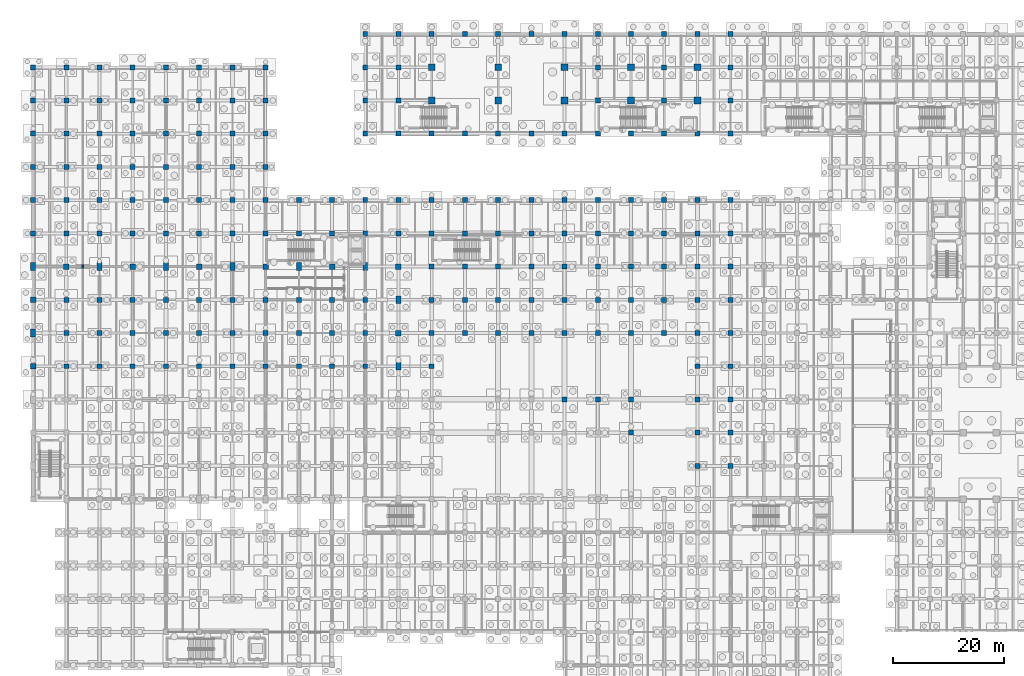
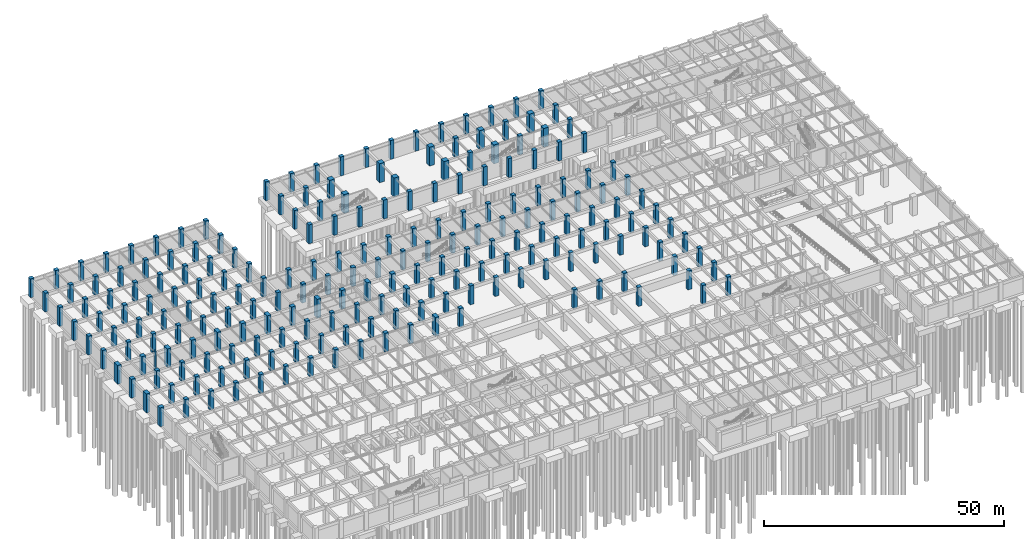
# One storey, part 24 of 54: 212 columns.
"""IFC4 building model written with IfcOpenShell, lengths in metres."""

from ifc_helpers import new_model, si_unit, direction, frame, origin, origin_2d, place, context, subcontext, project, spatial, rectangle, extrude, material, material_profile, profile_set, type_object, element, save


model = new_model("IFC4")

# Units and contexts
model_context = context("Model", 3, precision=1e-05, world=origin(), true_north=direction((0.0, 1.0)))
body_context = subcontext(model_context, "Body", "Model", "MODEL_VIEW")
ifc_project = project(units=[si_unit("LENGTHUNIT", "METRE"), si_unit("AREAUNIT", "SQUARE_METRE"), si_unit("VOLUMEUNIT", "CUBIC_METRE"), si_unit("PLANEANGLEUNIT", "RADIAN"), si_unit("MASSUNIT", "GRAM", prefix="KILO"), si_unit("THERMODYNAMICTEMPERATUREUNIT", "KELVIN"), si_unit("POWERUNIT", "WATT")], contexts=[model_context])

# Site, building, storey
site_placement = place(None, origin())
site = spatial("IfcSite", under=ifc_project, at=site_placement, CompositionType="ELEMENT")
building_placement = place(site_placement, origin())
building = spatial("IfcBuilding", under=site, at=building_placement, Name="Phaisarnlok Congress Hotel", CompositionType="ELEMENT")
storey_placement = place(building_placement, frame((0.0, 0.0, -4.800048828125)))
storey = spatial("IfcBuildingStorey", under=building, at=storey_placement, Name="B01", CompositionType="ELEMENT", Elevation=-4.800048828125)

# Columns
ifc_material_1 = material(Name="Concrete C50/60", Category="concrete")
ifc_material_profile_1 = material_profile(ifc_material_1, rectangle(XDim=1.0, YDim=1.0, at=origin_2d()), Name="RC 1000x1000")
ifc_profile_set_1 = profile_set([ifc_material_profile_1], Name="Concrete C50/60")
column_type_1 = type_object("IfcColumnType", Name="COL-RC-1000", PredefinedType="COLUMN", material=ifc_profile_set_1)
for number, where, z_axis, x_axis, name in (
    (1, (6.0, 84.0, 0.0), (0.0, 0.0, 1.0), (1.0, 0.0, 0.0), "Column C-09 (B01)"),
    (2, (18.0, 84.0, 0.0), (0.0, 0.0, 1.0), (1.0, 0.0, 0.0), "Column C-09 (B01)"),
    (3, (30.0, 84.0, 0.0), (0.0, 0.0, 1.0), (1.0, 0.0, 0.0), "Column C-09 (B01)"),
    (4, (42.0, 84.0, 0.0), (0.0, 0.0, 1.0), (1.0, 0.0, 0.0), "Column C-09 (B01)"),
    (5, (54.0, 84.0, 0.0), (0.0, 0.0, 1.0), (1.0, 0.0, 0.0), "Column C-09 (B01)"),
    (6, (66.0, 72.0, 0.0), (0.0, 0.0, 1.0), (1.0, 0.0, 0.0), "Column C-09 (B01)"),
    (7, (66.0, 84.0, 0.0), (0.0, 0.0, 1.0), (1.0, 0.0, 0.0), "Column C-09 (B01)"),
):
    element("IfcColumn", number, at=place(storey_placement, frame(where, z_axis=z_axis, x_axis=x_axis)), inside=storey, type_object=column_type_1, Name=name, PredefinedType="COLUMN", context=body_context, shape_type="SweptSolid", body=[
        extrude(rectangle(XDim=1.0, YDim=1.0, at=origin_2d()), origin(), (0.0, 0.0, 1.0), 4.800048828125),
    ])
ifc_material_profile_2 = material_profile(ifc_material_1, rectangle(XDim=1.0, YDim=1.0, at=origin_2d()), Name="RC 1000x1000")
ifc_profile_set_2 = profile_set([ifc_material_profile_2], Name="Concrete C50/60")
column_type_2 = type_object("IfcColumnType", Name="COL-RC-1000-EXT", PredefinedType="COLUMN", material=ifc_profile_set_2)
for number, where, z_axis, x_axis, name in (
    (8, (0.0, 66.0, 0.0), (0.0, 0.0, 1.0), (1.0, 0.0, 0.0), "Column C-09E (B01)"),
    (9, (0.0, 78.0, 0.0), (0.0, 0.0, 1.0), (1.0, 0.0, 0.0), "Column C-09E (B01)"),
):
    element("IfcColumn", number, at=place(storey_placement, frame(where, z_axis=z_axis, x_axis=x_axis)), inside=storey, type_object=column_type_2, Name=name, PredefinedType="COLUMN", context=body_context, shape_type="SweptSolid", body=[
        extrude(rectangle(XDim=1.0, YDim=1.0, at=origin_2d()), origin(), (0.0, 0.0, 1.0), 4.800048828125),
    ])
ifc_material_profile_3 = material_profile(ifc_material_1, rectangle(XDim=1.199951171875, YDim=1.199951171875, at=origin_2d()), Name="RC 1200x1200")
ifc_profile_set_3 = profile_set([ifc_material_profile_3], Name="Concrete C50/60")
column_type_3 = type_object("IfcColumnType", Name="COL-RC-1200", PredefinedType="COLUMN", material=ifc_profile_set_3)
for number, where, z_axis, x_axis, name in (
    (10, (72.0, 114.0, 0.0), (0.0, 0.0, 1.0), (1.0, 0.0, 0.0), "Column C-11 (B01)"),
    (11, (72.0, 120.0, 0.0), (0.0, 0.0, 1.0), (1.0, 0.0, 0.0), "Column C-11 (B01)"),
    (12, (84.0, 114.0, 0.0), (0.0, 0.0, 1.0), (1.0, 0.0, 0.0), "Column C-11 (B01)"),
    (13, (84.0, 120.0, 0.0), (0.0, 0.0, 1.0), (1.0, 0.0, 0.0), "Column C-11 (B01)"),
    (14, (96.0, 114.0, 0.0), (0.0, 0.0, 1.0), (1.0, 0.0, 0.0), "Column C-11 (B01)"),
    (15, (96.0, 120.0, 0.0), (0.0, 0.0, 1.0), (1.0, 0.0, 0.0), "Column C-11 (B01)"),
    (16, (108.0, 114.0, 0.0), (0.0, 0.0, 1.0), (1.0, 0.0, 0.0), "Column C-11 (B01)"),
    (17, (108.0, 120.0, 0.0), (0.0, 0.0, 1.0), (1.0, 0.0, 0.0), "Column C-11 (B01)"),
    (18, (120.0, 114.0, 0.0), (0.0, 0.0, 1.0), (1.0, 0.0, 0.0), "Column C-11 (B01)"),
    (19, (120.0, 120.0, 0.0), (0.0, 0.0, 1.0), (1.0, 0.0, 0.0), "Column C-11 (B01)"),
):
    element("IfcColumn", number, at=place(storey_placement, frame(where, z_axis=z_axis, x_axis=x_axis)), inside=storey, type_object=column_type_3, Name=name, PredefinedType="COLUMN", context=body_context, shape_type="SweptSolid", body=[
        extrude(rectangle(XDim=1.199951171875, YDim=1.199951171875, at=origin_2d()), origin(), (0.0, 0.0, 1.0), 4.800048828125),
    ])
ifc_material_profile_4 = material_profile(ifc_material_1, rectangle(XDim=0.89990234375, YDim=0.89990234375, at=origin_2d()), Name="RC 900x900")
ifc_profile_set_4 = profile_set([ifc_material_profile_4], Name="Concrete C50/60")
column_type_4 = type_object("IfcColumnType", Name="COL-RC-900", PredefinedType="COLUMN", material=ifc_profile_set_4)
for number, where, z_axis, x_axis, name in (
    (20, (6.0, 66.0, 0.0), (0.0, 0.0, 1.0), (1.0, 0.0, 0.0), "Column C-08 (B01)"),
    (21, (6.0, 72.0, 0.0), (0.0, 0.0, 1.0), (1.0, 0.0, 0.0), "Column C-08 (B01)"),
    (22, (6.0, 78.0, 0.0), (0.0, 0.0, 1.0), (1.0, 0.0, 0.0), "Column C-08 (B01)"),
    (23, (6.0, 90.0, 0.0), (0.0, 0.0, 1.0), (1.0, 0.0, 0.0), "Column C-08 (B01)"),
    (24, (6.0, 96.0, 0.0), (0.0, 0.0, 1.0), (1.0, 0.0, 0.0), "Column C-08 (B01)"),
    (25, (6.0, 102.0, 0.0), (0.0, 0.0, 1.0), (1.0, 0.0, 0.0), "Column C-08 (B01)"),
    (26, (6.0, 108.0, 0.0), (0.0, 0.0, 1.0), (1.0, 0.0, 0.0), "Column C-08 (B01)"),
    (27, (6.0, 114.0, 0.0), (0.0, 0.0, 1.0), (1.0, 0.0, 0.0), "Column C-08 (B01)"),
    (28, (6.0, 120.0, 0.0), (0.0, 0.0, 1.0), (1.0, 0.0, 0.0), "Column C-08 (B01)"),
    (29, (12.0, 66.0, 0.0), (0.0, 0.0, 1.0), (1.0, 0.0, 0.0), "Column C-08 (B01)"),
    (30, (12.0, 72.0, 0.0), (0.0, 0.0, 1.0), (1.0, 0.0, 0.0), "Column C-08 (B01)"),
    (31, (12.0, 78.0, 0.0), (0.0, 0.0, 1.0), (1.0, 0.0, 0.0), "Column C-08 (B01)"),
    (32, (12.0, 90.0, 0.0), (0.0, 0.0, 1.0), (1.0, 0.0, 0.0), "Column C-08 (B01)"),
    (33, (12.0, 96.0, 0.0), (0.0, 0.0, 1.0), (1.0, 0.0, 0.0), "Column C-08 (B01)"),
    (34, (12.0, 102.0, 0.0), (0.0, 0.0, 1.0), (1.0, 0.0, 0.0), "Column C-08 (B01)"),
    (35, (12.0, 108.0, 0.0), (0.0, 0.0, 1.0), (1.0, 0.0, 0.0), "Column C-08 (B01)"),
    (36, (12.0, 114.0, 0.0), (0.0, 0.0, 1.0), (1.0, 0.0, 0.0), "Column C-08 (B01)"),
    (37, (12.0, 120.0, 0.0), (0.0, 0.0, 1.0), (1.0, 0.0, 0.0), "Column C-08 (B01)"),
    (38, (18.0, 66.0, 0.0), (0.0, 0.0, 1.0), (1.0, 0.0, 0.0), "Column C-08 (B01)"),
    (39, (18.0, 72.0, 0.0), (0.0, 0.0, 1.0), (1.0, 0.0, 0.0), "Column C-08 (B01)"),
    (40, (18.0, 78.0, 0.0), (0.0, 0.0, 1.0), (1.0, 0.0, 0.0), "Column C-08 (B01)"),
    (41, (18.0, 90.0, 0.0), (0.0, 0.0, 1.0), (1.0, 0.0, 0.0), "Column C-08 (B01)"),
    (42, (18.0, 96.0, 0.0), (0.0, 0.0, 1.0), (1.0, 0.0, 0.0), "Column C-08 (B01)"),
    (43, (18.0, 102.0, 0.0), (0.0, 0.0, 1.0), (1.0, 0.0, 0.0), "Column C-08 (B01)"),
    (44, (18.0, 108.0, 0.0), (0.0, 0.0, 1.0), (1.0, 0.0, 0.0), "Column C-08 (B01)"),
    (45, (18.0, 114.0, 0.0), (0.0, 0.0, 1.0), (1.0, 0.0, 0.0), "Column C-08 (B01)"),
    (46, (18.0, 120.0, 0.0), (0.0, 0.0, 1.0), (1.0, 0.0, 0.0), "Column C-08 (B01)"),
    (47, (24.0, 66.0, 0.0), (0.0, 0.0, 1.0), (1.0, 0.0, 0.0), "Column C-08 (B01)"),
    (48, (24.0, 72.0, 0.0), (0.0, 0.0, 1.0), (1.0, 0.0, 0.0), "Column C-08 (B01)"),
    (49, (24.0, 78.0, 0.0), (0.0, 0.0, 1.0), (1.0, 0.0, 0.0), "Column C-08 (B01)"),
    (50, (24.0, 90.0, 0.0), (0.0, 0.0, 1.0), (1.0, 0.0, 0.0), "Column C-08 (B01)"),
    (51, (24.0, 96.0, 0.0), (0.0, 0.0, 1.0), (1.0, 0.0, 0.0), "Column C-08 (B01)"),
    (52, (24.0, 102.0, 0.0), (0.0, 0.0, 1.0), (1.0, 0.0, 0.0), "Column C-08 (B01)"),
    (53, (24.0, 108.0, 0.0), (0.0, 0.0, 1.0), (1.0, 0.0, 0.0), "Column C-08 (B01)"),
    (54, (24.0, 114.0, 0.0), (0.0, 0.0, 1.0), (1.0, 0.0, 0.0), "Column C-08 (B01)"),
    (55, (24.0, 120.0, 0.0), (0.0, 0.0, 1.0), (1.0, 0.0, 0.0), "Column C-08 (B01)"),
    (56, (30.0, 66.0, 0.0), (0.0, 0.0, 1.0), (1.0, 0.0, 0.0), "Column C-08 (B01)"),
    (57, (30.0, 72.0, 0.0), (0.0, 0.0, 1.0), (1.0, 0.0, 0.0), "Column C-08 (B01)"),
    (58, (30.0, 78.0, 0.0), (0.0, 0.0, 1.0), (1.0, 0.0, 0.0), "Column C-08 (B01)"),
    (59, (30.0, 90.0, 0.0), (0.0, 0.0, 1.0), (1.0, 0.0, 0.0), "Column C-08 (B01)"),
    (60, (30.0, 96.0, 0.0), (0.0, 0.0, 1.0), (1.0, 0.0, 0.0), "Column C-08 (B01)"),
    (61, (30.0, 102.0, 0.0), (0.0, 0.0, 1.0), (1.0, 0.0, 0.0), "Column C-08 (B01)"),
    (62, (30.0, 108.0, 0.0), (0.0, 0.0, 1.0), (1.0, 0.0, 0.0), "Column C-08 (B01)"),
    (63, (30.0, 114.0, 0.0), (0.0, 0.0, 1.0), (1.0, 0.0, 0.0), "Column C-08 (B01)"),
    (64, (30.0, 120.0, 0.0), (0.0, 0.0, 1.0), (1.0, 0.0, 0.0), "Column C-08 (B01)"),
    (65, (36.0, 66.0, 0.0), (0.0, 0.0, 1.0), (1.0, 0.0, 0.0), "Column C-08 (B01)"),
    (66, (36.0, 72.0, 0.0), (0.0, 0.0, 1.0), (1.0, 0.0, 0.0), "Column C-08 (B01)"),
    (67, (36.0, 78.0, 0.0), (0.0, 0.0, 1.0), (1.0, 0.0, 0.0), "Column C-08 (B01)"),
    (68, (36.0, 90.0, 0.0), (0.0, 0.0, 1.0), (1.0, 0.0, 0.0), "Column C-08 (B01)"),
    (69, (36.0, 96.0, 0.0), (0.0, 0.0, 1.0), (1.0, 0.0, 0.0), "Column C-08 (B01)"),
    (70, (36.0, 102.0, 0.0), (0.0, 0.0, 1.0), (1.0, 0.0, 0.0), "Column C-08 (B01)"),
    (71, (36.0, 108.0, 0.0), (0.0, 0.0, 1.0), (1.0, 0.0, 0.0), "Column C-08 (B01)"),
    (72, (36.0, 114.0, 0.0), (0.0, 0.0, 1.0), (1.0, 0.0, 0.0), "Column C-08 (B01)"),
    (73, (36.0, 120.0, 0.0), (0.0, 0.0, 1.0), (1.0, 0.0, 0.0), "Column C-08 (B01)"),
    (74, (42.0, 66.0, 0.0), (0.0, 0.0, 1.0), (1.0, 0.0, 0.0), "Column C-08 (B01)"),
    (75, (42.0, 72.0, 0.0), (0.0, 0.0, 1.0), (1.0, 0.0, 0.0), "Column C-08 (B01)"),
    (76, (42.0, 78.0, 0.0), (0.0, 0.0, 1.0), (1.0, 0.0, 0.0), "Column C-08 (B01)"),
    (77, (42.0, 90.0, 0.0), (0.0, 0.0, 1.0), (1.0, 0.0, 0.0), "Column C-08 (B01)"),
    (78, (42.0, 96.0, 0.0), (0.0, 0.0, 1.0), (1.0, 0.0, 0.0), "Column C-08 (B01)"),
    (79, (42.0, 102.0, 0.0), (0.0, 0.0, 1.0), (1.0, 0.0, 0.0), "Column C-08 (B01)"),
    (80, (42.0, 108.0, 0.0), (0.0, 0.0, 1.0), (1.0, 0.0, 0.0), "Column C-08 (B01)"),
    (81, (42.0, 114.0, 0.0), (0.0, 0.0, 1.0), (1.0, 0.0, 0.0), "Column C-08 (B01)"),
    (82, (42.0, 120.0, 0.0), (0.0, 0.0, 1.0), (1.0, 0.0, 0.0), "Column C-08 (B01)"),
    (83, (48.0, 66.0, 0.0), (0.0, 0.0, 1.0), (1.0, 0.0, 0.0), "Column C-08 (B01)"),
    (84, (48.0, 72.0, 0.0), (0.0, 0.0, 1.0), (1.0, 0.0, 0.0), "Column C-08 (B01)"),
    (85, (48.0, 78.0, 0.0), (0.0, 0.0, 1.0), (1.0, 0.0, 0.0), "Column C-08 (B01)"),
    (86, (48.0, 90.0, 0.0), (0.0, 0.0, 1.0), (1.0, 0.0, 0.0), "Column C-08 (B01)"),
    (87, (48.0, 96.0, 0.0), (0.0, 0.0, 1.0), (1.0, 0.0, 0.0), "Column C-08 (B01)"),
    (88, (54.0, 66.0, 0.0), (0.0, 0.0, 1.0), (1.0, 0.0, 0.0), "Column C-08 (B01)"),
    (89, (54.0, 72.0, 0.0), (0.0, 0.0, 1.0), (1.0, 0.0, 0.0), "Column C-08 (B01)"),
    (90, (54.0, 78.0, 0.0), (0.0, 0.0, 1.0), (1.0, 0.0, 0.0), "Column C-08 (B01)"),
    (91, (54.0, 90.0, 0.0), (0.0, 0.0, 1.0), (1.0, 0.0, 0.0), "Column C-08 (B01)"),
    (92, (54.0, 96.0, 0.0), (0.0, 0.0, 1.0), (1.0, 0.0, 0.0), "Column C-08 (B01)"),
    (93, (60.0, 66.0, 0.0), (0.0, 0.0, 1.0), (1.0, 0.0, 0.0), "Column C-08 (B01)"),
    (94, (60.0, 72.0, 0.0), (0.0, 0.0, 1.0), (1.0, 0.0, 0.0), "Column C-08 (B01)"),
    (95, (60.0, 78.0, 0.0), (0.0, 0.0, 1.0), (1.0, 0.0, 0.0), "Column C-08 (B01)"),
    (96, (60.0, 90.0, 0.0), (0.0, 0.0, 1.0), (1.0, 0.0, 0.0), "Column C-08 (B01)"),
    (97, (60.0, 96.0, 0.0), (0.0, 0.0, 1.0), (1.0, 0.0, 0.0), "Column C-08 (B01)"),
    (98, (60.0, 108.0, 0.0), (0.0, 0.0, 1.0), (1.0, 0.0, 0.0), "Column C-08 (B01)"),
    (99, (60.0, 114.0, 0.0), (0.0, 0.0, 1.0), (1.0, 0.0, 0.0), "Column C-08 (B01)"),
    (100, (60.0, 120.0, 0.0), (0.0, 0.0, 1.0), (1.0, 0.0, 0.0), "Column C-08 (B01)"),
    (101, (66.0, 90.0, 0.0), (0.0, 0.0, 1.0), (1.0, 0.0, 0.0), "Column C-08 (B01)"),
    (102, (66.0, 96.0, 0.0), (0.0, 0.0, 1.0), (1.0, 0.0, 0.0), "Column C-08 (B01)"),
    (103, (66.0, 108.0, 0.0), (0.0, 0.0, 1.0), (1.0, 0.0, 0.0), "Column C-08 (B01)"),
    (104, (66.0, 114.0, 0.0), (0.0, 0.0, 1.0), (1.0, 0.0, 0.0), "Column C-08 (B01)"),
    (105, (66.0, 120.0, 0.0), (0.0, 0.0, 1.0), (1.0, 0.0, 0.0), "Column C-08 (B01)"),
    (106, (72.0, 66.0, 0.0), (0.0, 0.0, 1.0), (1.0, 0.0, 0.0), "Column C-08 (B01)"),
    (107, (72.0, 72.0, 0.0), (0.0, 0.0, 1.0), (1.0, 0.0, 0.0), "Column C-08 (B01)"),
    (108, (72.0, 78.0, 0.0), (0.0, 0.0, 1.0), (1.0, 0.0, 0.0), "Column C-08 (B01)"),
    (109, (72.0, 84.0, 0.0), (0.0, 0.0, 1.0), (1.0, 0.0, 0.0), "Column C-08 (B01)"),
    (110, (72.0, 90.0, 0.0), (0.0, 0.0, 1.0), (1.0, 0.0, 0.0), "Column C-08 (B01)"),
    (111, (72.0, 96.0, 0.0), (0.0, 0.0, 1.0), (1.0, 0.0, 0.0), "Column C-08 (B01)"),
    (112, (72.0, 108.0, 0.0), (0.0, 0.0, 1.0), (1.0, 0.0, 0.0), "Column C-08 (B01)"),
    (113, (78.0, 72.0, 0.0), (0.0, 0.0, 1.0), (1.0, 0.0, 0.0), "Column C-08 (B01)"),
    (114, (78.0, 78.0, 0.0), (0.0, 0.0, 1.0), (1.0, 0.0, 0.0), "Column C-08 (B01)"),
    (115, (78.0, 84.0, 0.0), (0.0, 0.0, 1.0), (1.0, 0.0, 0.0), "Column C-08 (B01)"),
    (116, (78.0, 90.0, 0.0), (0.0, 0.0, 1.0), (1.0, 0.0, 0.0), "Column C-08 (B01)"),
    (117, (78.0, 96.0, 0.0), (0.0, 0.0, 1.0), (1.0, 0.0, 0.0), "Column C-08 (B01)"),
    (118, (78.0, 108.0, 0.0), (0.0, 0.0, 1.0), (1.0, 0.0, 0.0), "Column C-08 (B01)"),
    (119, (84.0, 72.0, 0.0), (0.0, 0.0, 1.0), (1.0, 0.0, 0.0), "Column C-08 (B01)"),
    (120, (84.0, 78.0, 0.0), (0.0, 0.0, 1.0), (1.0, 0.0, 0.0), "Column C-08 (B01)"),
    (121, (84.0, 84.0, 0.0), (0.0, 0.0, 1.0), (1.0, 0.0, 0.0), "Column C-08 (B01)"),
    (122, (84.0, 90.0, 0.0), (0.0, 0.0, 1.0), (1.0, 0.0, 0.0), "Column C-08 (B01)"),
    (123, (84.0, 96.0, 0.0), (0.0, 0.0, 1.0), (1.0, 0.0, 0.0), "Column C-08 (B01)"),
    (124, (84.0, 108.0, 0.0), (0.0, 0.0, 1.0), (1.0, 0.0, 0.0), "Column C-08 (B01)"),
    (125, (90.0, 72.0, 0.0), (0.0, 0.0, 1.0), (1.0, 0.0, 0.0), "Column C-08 (B01)"),
    (126, (90.0, 78.0, 0.0), (0.0, 0.0, 1.0), (1.0, 0.0, 0.0), "Column C-08 (B01)"),
    (127, (90.0, 84.0, 0.0), (0.0, 0.0, 1.0), (1.0, 0.0, 0.0), "Column C-08 (B01)"),
    (128, (90.0, 90.0, 0.0), (0.0, 0.0, 1.0), (1.0, 0.0, 0.0), "Column C-08 (B01)"),
    (129, (90.0, 96.0, 0.0), (0.0, 0.0, 1.0), (1.0, 0.0, 0.0), "Column C-08 (B01)"),
    (130, (90.0, 108.0, 0.0), (0.0, 0.0, 1.0), (1.0, 0.0, 0.0), "Column C-08 (B01)"),
    (131, (96.0, 60.0, 0.0), (0.0, 0.0, 1.0), (1.0, 0.0, 0.0), "Column C-08 (B01)"),
    (132, (96.0, 72.0, 0.0), (0.0, 0.0, 1.0), (1.0, 0.0, 0.0), "Column C-08 (B01)"),
    (133, (96.0, 78.0, 0.0), (0.0, 0.0, 1.0), (1.0, 0.0, 0.0), "Column C-08 (B01)"),
    (134, (96.0, 84.0, 0.0), (0.0, 0.0, 1.0), (1.0, 0.0, 0.0), "Column C-08 (B01)"),
    (135, (96.0, 90.0, 0.0), (0.0, 0.0, 1.0), (1.0, 0.0, 0.0), "Column C-08 (B01)"),
    (136, (96.0, 96.0, 0.0), (0.0, 0.0, 1.0), (1.0, 0.0, 0.0), "Column C-08 (B01)"),
    (137, (96.0, 108.0, 0.0), (0.0, 0.0, 1.0), (1.0, 0.0, 0.0), "Column C-08 (B01)"),
    (138, (102.0, 60.0, 0.0), (0.0, 0.0, 1.0), (1.0, 0.0, 0.0), "Column C-08 (B01)"),
    (139, (102.0, 72.0, 0.0), (0.0, 0.0, 1.0), (1.0, 0.0, 0.0), "Column C-08 (B01)"),
    (140, (102.0, 78.0, 0.0), (0.0, 0.0, 1.0), (1.0, 0.0, 0.0), "Column C-08 (B01)"),
    (141, (102.0, 84.0, 0.0), (0.0, 0.0, 1.0), (1.0, 0.0, 0.0), "Column C-08 (B01)"),
    (142, (102.0, 90.0, 0.0), (0.0, 0.0, 1.0), (1.0, 0.0, 0.0), "Column C-08 (B01)"),
    (143, (102.0, 96.0, 0.0), (0.0, 0.0, 1.0), (1.0, 0.0, 0.0), "Column C-08 (B01)"),
    (144, (102.0, 108.0, 0.0), (0.0, 0.0, 1.0), (1.0, 0.0, 0.0), "Column C-08 (B01)"),
    (145, (102.0, 114.0, 0.0), (0.0, 0.0, 1.0), (1.0, 0.0, 0.0), "Column C-08 (B01)"),
    (146, (102.0, 120.0, 0.0), (0.0, 0.0, 1.0), (1.0, 0.0, 0.0), "Column C-08 (B01)"),
    (147, (108.0, 54.0, 0.0), (0.0, 0.0, 1.0), (1.0, 0.0, 0.0), "Column C-08 (B01)"),
    (148, (108.0, 60.0, 0.0), (0.0, 0.0, 1.0), (1.0, 0.0, 0.0), "Column C-08 (B01)"),
    (149, (108.0, 72.0, 0.0), (0.0, 0.0, 1.0), (1.0, 0.0, 0.0), "Column C-08 (B01)"),
    (150, (108.0, 78.0, 0.0), (0.0, 0.0, 1.0), (1.0, 0.0, 0.0), "Column C-08 (B01)"),
    (151, (108.0, 84.0, 0.0), (0.0, 0.0, 1.0), (1.0, 0.0, 0.0), "Column C-08 (B01)"),
    (152, (108.0, 90.0, 0.0), (0.0, 0.0, 1.0), (1.0, 0.0, 0.0), "Column C-08 (B01)"),
    (153, (108.0, 96.0, 0.0), (0.0, 0.0, 1.0), (1.0, 0.0, 0.0), "Column C-08 (B01)"),
    (154, (108.0, 108.0, 0.0), (0.0, 0.0, 1.0), (1.0, 0.0, 0.0), "Column C-08 (B01)"),
    (155, (114.0, 72.0, 0.0), (0.0, 0.0, 1.0), (1.0, 0.0, 0.0), "Column C-08 (B01)"),
    (156, (114.0, 78.0, 0.0), (0.0, 0.0, 1.0), (1.0, 0.0, 0.0), "Column C-08 (B01)"),
    (157, (114.0, 84.0, 0.0), (0.0, 0.0, 1.0), (1.0, 0.0, 0.0), "Column C-08 (B01)"),
    (158, (114.0, 90.0, 0.0), (0.0, 0.0, 1.0), (1.0, 0.0, 0.0), "Column C-08 (B01)"),
    (159, (114.0, 96.0, 0.0), (0.0, 0.0, 1.0), (1.0, 0.0, 0.0), "Column C-08 (B01)"),
    (160, (114.0, 108.0, 0.0), (0.0, 0.0, 1.0), (1.0, 0.0, 0.0), "Column C-08 (B01)"),
    (161, (114.0, 114.0, 0.0), (0.0, 0.0, 1.0), (1.0, 0.0, 0.0), "Column C-08 (B01)"),
    (162, (114.0, 120.0, 0.0), (0.0, 0.0, 1.0), (1.0, 0.0, 0.0), "Column C-08 (B01)"),
    (163, (120.0, 48.0, 0.0), (0.0, 0.0, 1.0), (1.0, 0.0, 0.0), "Column C-08 (B01)"),
    (164, (120.0, 54.0, 0.0), (0.0, 0.0, 1.0), (1.0, 0.0, 0.0), "Column C-08 (B01)"),
    (165, (120.0, 60.0, 0.0), (0.0, 0.0, 1.0), (1.0, 0.0, 0.0), "Column C-08 (B01)"),
    (166, (120.0, 66.0, 0.0), (0.0, 0.0, 1.0), (1.0, 0.0, 0.0), "Column C-08 (B01)"),
    (167, (120.0, 72.0, 0.0), (0.0, 0.0, 1.0), (1.0, 0.0, 0.0), "Column C-08 (B01)"),
    (168, (120.0, 78.0, 0.0), (0.0, 0.0, 1.0), (1.0, 0.0, 0.0), "Column C-08 (B01)"),
    (169, (120.0, 84.0, 0.0), (0.0, 0.0, 1.0), (1.0, 0.0, 0.0), "Column C-08 (B01)"),
    (170, (120.0, 90.0, 0.0), (0.0, 0.0, 1.0), (1.0, 0.0, 0.0), "Column C-08 (B01)"),
    (171, (120.0, 96.0, 0.0), (0.0, 0.0, 1.0), (1.0, 0.0, 0.0), "Column C-08 (B01)"),
    (172, (120.0, 108.0, 0.0), (0.0, 0.0, 1.0), (1.0, 0.0, 0.0), "Column C-08 (B01)"),
    (173, (126.0, 48.0, 0.0), (0.0, 0.0, 1.0), (1.0, 0.0, 0.0), "Column C-08 (B01)"),
    (174, (126.0, 54.0, 0.0), (0.0, 0.0, 1.0), (1.0, 0.0, 0.0), "Column C-08 (B01)"),
    (175, (126.0, 60.0, 0.0), (0.0, 0.0, 1.0), (1.0, 0.0, 0.0), "Column C-08 (B01)"),
    (176, (126.0, 66.0, 0.0), (0.0, 0.0, 1.0), (1.0, 0.0, 0.0), "Column C-08 (B01)"),
    (177, (126.0, 72.0, 0.0), (0.0, 0.0, 1.0), (1.0, 0.0, 0.0), "Column C-08 (B01)"),
    (178, (126.0, 78.0, 0.0), (0.0, 0.0, 1.0), (1.0, 0.0, 0.0), "Column C-08 (B01)"),
    (179, (126.0, 84.0, 0.0), (0.0, 0.0, 1.0), (1.0, 0.0, 0.0), "Column C-08 (B01)"),
    (180, (126.0, 90.0, 0.0), (0.0, 0.0, 1.0), (1.0, 0.0, 0.0), "Column C-08 (B01)"),
    (181, (126.0, 96.0, 0.0), (0.0, 0.0, 1.0), (1.0, 0.0, 0.0), "Column C-08 (B01)"),
    (182, (126.0, 108.0, 0.0), (0.0, 0.0, 1.0), (1.0, 0.0, 0.0), "Column C-08 (B01)"),
    (183, (126.0, 114.0, 0.0), (0.0, 0.0, 1.0), (1.0, 0.0, 0.0), "Column C-08 (B01)"),
    (184, (126.0, 120.0, 0.0), (0.0, 0.0, 1.0), (1.0, 0.0, 0.0), "Column C-08 (B01)"),
):
    element("IfcColumn", number, at=place(storey_placement, frame(where, z_axis=z_axis, x_axis=x_axis)), inside=storey, type_object=column_type_4, Name=name, PredefinedType="COLUMN", context=body_context, shape_type="SweptSolid", body=[
        extrude(rectangle(XDim=0.89990234375, YDim=0.89990234375, at=origin_2d()), origin(), (0.0, 0.0, 1.0), 4.800048828125),
    ])
ifc_material_profile_5 = material_profile(ifc_material_1, rectangle(XDim=0.89990234375, YDim=0.89990234375, at=origin_2d()), Name="RC 900x900")
ifc_profile_set_5 = profile_set([ifc_material_profile_5], Name="Concrete C50/60")
column_type_5 = type_object("IfcColumnType", Name="COL-RC-900-EXT", PredefinedType="COLUMN", material=ifc_profile_set_5)
for number, where, z_axis, x_axis, name in (
    (185, (0.0, 90.0, 0.0), (0.0, 0.0, 1.0), (1.0, 0.0, 0.0), "Column C-08E (B01)"),
    (186, (0.0, 96.0, 0.0), (0.0, 0.0, 1.0), (1.0, 0.0, 0.0), "Column C-08E (B01)"),
    (187, (0.0, 102.0, 0.0), (0.0, 0.0, 1.0), (1.0, 0.0, 0.0), "Column C-08E (B01)"),
    (188, (0.0, 108.0, 0.0), (0.0, 0.0, 1.0), (1.0, 0.0, 0.0), "Column C-08E (B01)"),
    (189, (0.0, 114.0, 0.0), (0.0, 0.0, 1.0), (1.0, 0.0, 0.0), "Column C-08E (B01)"),
    (190, (0.0, 120.0, 0.0), (0.0, 0.0, 1.0), (1.0, 0.0, 0.0), "Column C-08E (B01)"),
    (191, (60.0, 126.0, 0.0), (0.0, 0.0, 1.0), (1.0, 0.0, 0.0), "Column C-08E (B01)"),
    (192, (66.0, 126.0, 0.0), (0.0, 0.0, 1.0), (1.0, 0.0, 0.0), "Column C-08E (B01)"),
    (193, (72.0, 126.0, 0.0), (0.0, 0.0, 1.0), (1.0, 0.0, 0.0), "Column C-08E (B01)"),
    (194, (78.0, 126.0, 0.0), (0.0, 0.0, 1.0), (1.0, 0.0, 0.0), "Column C-08E (B01)"),
    (195, (84.0, 126.0, 0.0), (0.0, 0.0, 1.0), (1.0, 0.0, 0.0), "Column C-08E (B01)"),
    (196, (90.0, 126.0, 0.0), (0.0, 0.0, 1.0), (1.0, 0.0, 0.0), "Column C-08E (B01)"),
    (197, (96.0, 126.0, 0.0), (0.0, 0.0, 1.0), (1.0, 0.0, 0.0), "Column C-08E (B01)"),
    (198, (102.0, 126.0, 0.0), (0.0, 0.0, 1.0), (1.0, 0.0, 0.0), "Column C-08E (B01)"),
    (199, (108.0, 126.0, 0.0), (0.0, 0.0, 1.0), (1.0, 0.0, 0.0), "Column C-08E (B01)"),
    (200, (114.0, 126.0, 0.0), (0.0, 0.0, 1.0), (1.0, 0.0, 0.0), "Column C-08E (B01)"),
    (201, (120.0, 126.0, 0.0), (0.0, 0.0, 1.0), (1.0, 0.0, 0.0), "Column C-08E (B01)"),
    (202, (126.0, 126.0, 0.0), (0.0, 0.0, 1.0), (1.0, 0.0, 0.0), "Column C-08E (B01)"),
):
    element("IfcColumn", number, at=place(storey_placement, frame(where, z_axis=z_axis, x_axis=x_axis)), inside=storey, type_object=column_type_5, Name=name, PredefinedType="COLUMN", context=body_context, shape_type="SweptSolid", body=[
        extrude(rectangle(XDim=0.89990234375, YDim=0.89990234375, at=origin_2d()), origin(), (0.0, 0.0, 1.0), 4.800048828125),
    ])
ifc_material_profile_6 = material_profile(ifc_material_1, rectangle(XDim=0.89990234375, YDim=1.39990234375, at=origin_2d()), Name="RC 900x1400")
ifc_profile_set_6 = profile_set([ifc_material_profile_6], Name="Concrete C50/60")
column_type_6 = type_object("IfcColumnType", Name="COL-RC-900x1400", PredefinedType="COLUMN", material=ifc_profile_set_6)
for number, where, z_axis, x_axis, name in (
    (203, (12.0, 84.0, 0.0), (0.0, 0.0, 1.0), (1.0, 0.0, 0.0), "Column C-12 (B01)"),
    (204, (24.0, 84.0, 0.0), (0.0, 0.0, 1.0), (1.0, 0.0, 0.0), "Column C-12 (B01)"),
    (205, (36.0, 84.0, 0.0), (0.0, 0.0, 1.0), (1.0, 0.0, 0.0), "Column C-12 (B01)"),
    (206, (48.0, 84.0, 0.0), (0.0, 0.0, 1.0), (1.0, 0.0, 0.0), "Column C-12 (B01)"),
    (207, (60.0, 84.0, 0.0), (0.0, 0.0, 1.0), (1.0, 0.0, 0.0), "Column C-12 (B01)"),
    (208, (66.0, 66.0, 0.0), (0.0, 0.0, 1.0), (1.0, 0.0, 0.0), "Column C-12 (B01)"),
    (209, (66.0, 78.0, 0.0), (0.0, 0.0, 1.0), (1.0, 0.0, 0.0), "Column C-12 (B01)"),
):
    element("IfcColumn", number, at=place(storey_placement, frame(where, z_axis=z_axis, x_axis=x_axis)), inside=storey, type_object=column_type_6, Name=name, PredefinedType="COLUMN", context=body_context, shape_type="SweptSolid", body=[
        extrude(rectangle(XDim=0.89990234375, YDim=1.39990234375, at=origin_2d()), origin(), (0.0, 0.0, 1.0), 4.800048828125),
    ])
ifc_material_profile_7 = material_profile(ifc_material_1, rectangle(XDim=0.89990234375, YDim=1.39990234375, at=origin_2d()), Name="RC 900x1400")
ifc_profile_set_7 = profile_set([ifc_material_profile_7], Name="Concrete C50/60")
column_type_7 = type_object("IfcColumnType", Name="COL-RC-900x1400-EXT", PredefinedType="COLUMN", material=ifc_profile_set_7)
for number, where, z_axis, x_axis, name in (
    (210, (0.0, 72.0, 0.0), (0.0, 0.0, 1.0), (1.0, 0.0, 0.0), "Column C-12E (B01)"),
    (211, (0.0, 84.0, 0.0), (0.0, 0.0, 1.0), (1.0, 0.0, 0.0), "Column C-12E (B01)"),
):
    element("IfcColumn", number, at=place(storey_placement, frame(where, z_axis=z_axis, x_axis=x_axis)), inside=storey, type_object=column_type_7, Name=name, PredefinedType="COLUMN", context=body_context, shape_type="SweptSolid", body=[
        extrude(rectangle(XDim=0.89990234375, YDim=1.39990234375, at=origin_2d()), origin(), (0.0, 0.0, 1.0), 4.800048828125),
    ])
ifc_material_2 = material(Name="Concrete C40/50", Category="concrete")
ifc_material_profile_8 = material_profile(ifc_material_2, rectangle(XDim=0.35009765625, YDim=0.60009765625, at=origin_2d()), Name="RC 350x600")
ifc_profile_set_8 = profile_set([ifc_material_profile_8], Name="Concrete C40/50")
column_type_8 = type_object("IfcColumnType", Name="PIL-RC-350x600", PredefinedType="PILASTER", material=ifc_profile_set_8)
column_placement = place(storey_placement, frame((9.0, 84.0, -0.5), z_axis=(0.0, 0.0, 1.0), x_axis=(1.0, 0.0, 0.0)))
element("IfcColumn", 212, at=column_placement, inside=storey, type_object=column_type_8, Name="Acoustic wall pilaster PL-C1", PredefinedType="PILASTER", context=body_context, shape_type="SweptSolid", body=[
    extrude(rectangle(XDim=0.35009765625, YDim=0.60009765625, at=origin_2d()), origin(), (0.0, 0.0, 1.0), 5.300048828125),
])

save(model, "model.ifc")
